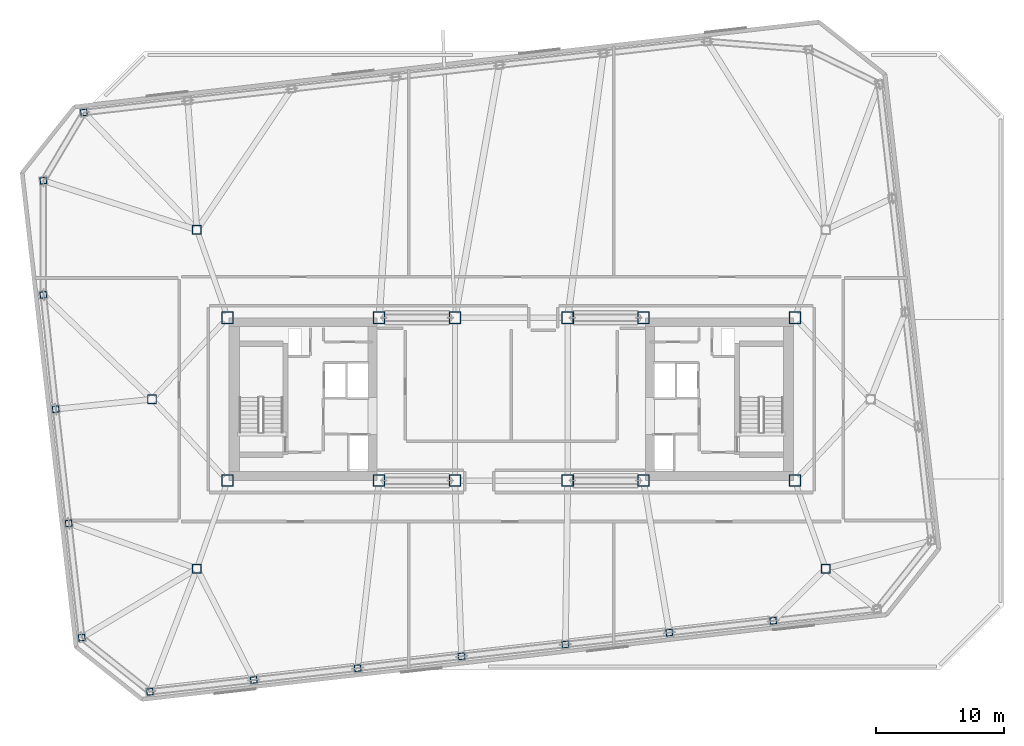
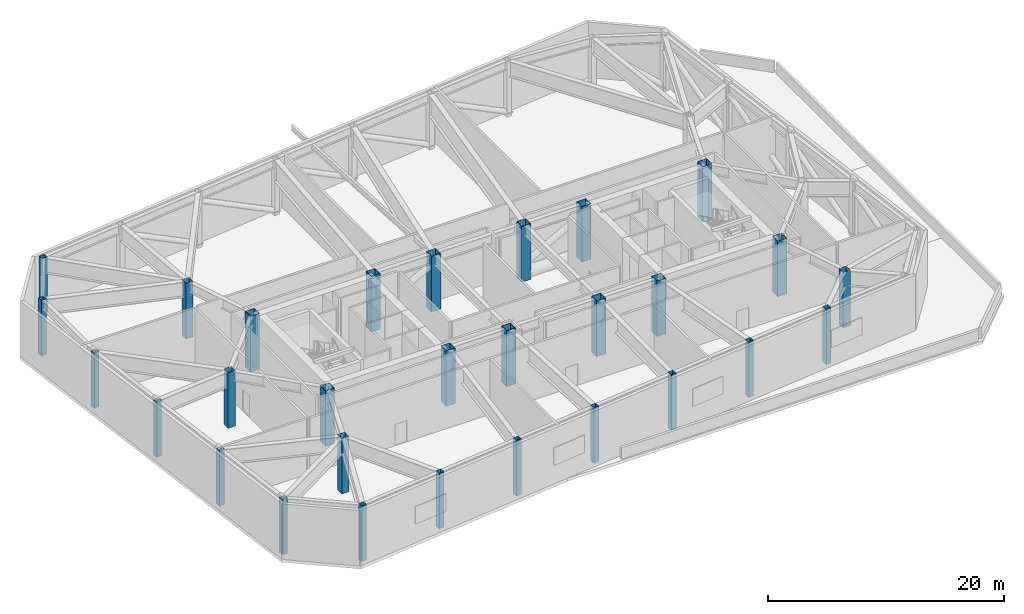
# One storey, part 1 of 13: 29 columns.
"""IFC4 building model written with IfcOpenShell, lengths in metres."""

from ifc_helpers import new_model, si_unit, direction, frame, origin, origin_2d, place, context, subcontext, project, spatial, hollow_rectangle, extrude, material, material_profile, profile_set, type_object, element, save


model = new_model("IFC4")

# Units and contexts
model_context = context("Model", 3, precision=1e-05, world=origin(), true_north=direction((0.0, 1.0)))
body_context = subcontext(model_context, "Body", "Model", "MODEL_VIEW")
ifc_project = project(units=[si_unit("LENGTHUNIT", "METRE"), si_unit("AREAUNIT", "SQUARE_METRE"), si_unit("VOLUMEUNIT", "CUBIC_METRE"), si_unit("PLANEANGLEUNIT", "RADIAN"), si_unit("MASSUNIT", "GRAM", prefix="KILO")], contexts=[model_context])

# Site, building, storey
site_placement = place(None, origin())
site = spatial("IfcSite", under=ifc_project, at=site_placement, CompositionType="ELEMENT")
building_placement = place(site_placement, origin())
building = spatial("IfcBuilding", under=site, at=building_placement, Name="Tavrogorsk Clinical Tower", CompositionType="ELEMENT")
storey_placement = place(building_placement, frame((0.0, 0.0, 208.199951171875)))
storey = spatial("IfcBuildingStorey", under=building, at=storey_placement, Name="L48", CompositionType="ELEMENT", Elevation=208.199951171875)

# Columns
ifc_material_1 = material(Name="Structural steel S440", Category="steel")
ifc_material_profile_1 = material_profile(ifc_material_1, hollow_rectangle(XDim=0.699951171875, YDim=0.699951171875, WallThickness=0.031982421875, at=origin_2d()), Name="BOX-700x700x32")
ifc_profile_set_1 = profile_set([ifc_material_profile_1], Name="Structural steel S440")
column_type_1 = type_object("IfcColumnType", Name="MegaCol_BOX700", PredefinedType="COLUMN", material=ifc_profile_set_1)
for number, where, z_axis, x_axis, name in (
    (1, (-24.5, -13.199951171875, 0.0), (0.0, 0.0, 1.0), (1.0, 0.0, 0.0), "L48 Spine Pilotis Column MC-P1"),
    (2, (24.5, -13.199951171875, 0.0), (0.0, 0.0, 1.0), (1.0, 0.0, 0.0), "L48 Spine Pilotis Column MC-P2"),
    (3, (-24.5, 13.199951171875, 0.0), (0.0, 0.0, 1.0), (1.0, 0.0, 0.0), "L48 Spine Pilotis Column MC-P3"),
    (4, (-28.0, 0.0, 0.0), (0.0, 0.0, 1.0), (1.0, 0.0, 0.0), "L48 Spine Pilotis Column MC-P5"),
):
    element("IfcColumn", number, at=place(storey_placement, frame(where, z_axis=z_axis, x_axis=x_axis)), inside=storey, type_object=column_type_1, Name=name, PredefinedType="COLUMN", context=body_context, shape_type="SweptSolid", body=[
        extrude(hollow_rectangle(XDim=0.699951171875, YDim=0.699951171875, WallThickness=0.031982421875, at=origin_2d()), origin(), (0.0, 0.0, 1.0), 5.739990234375),
    ])
ifc_material_2 = material(Name="Structural steel S440", Category="steel")
ifc_material_profile_2 = material_profile(ifc_material_2, hollow_rectangle(XDim=0.89990234375, YDim=0.89990234375, WallThickness=0.0400390625, at=origin_2d()), Name="BOX-900x900x40")
ifc_profile_set_2 = profile_set([ifc_material_profile_2], Name="Structural steel S440")
column_type_2 = type_object("IfcColumnType", Name="MegaCol_BOX900", PredefinedType="COLUMN", material=ifc_profile_set_2)
for number, where, z_axis, x_axis, name in (
    (5, (-22.10009765625, -6.35009765625, 0.0), (0.0, 0.0, 1.0), (1.0, 0.0, 0.0), "L48 Mega Column MC-W1"),
    (6, (-22.10009765625, 6.35009765625, 0.0), (0.0, 0.0, 1.0), (1.0, 0.0, 0.0), "L48 Mega Column MC-W2"),
    (7, (-10.300048828125, -6.35009765625, 0.0), (0.0, 0.0, 1.0), (1.0, 0.0, 0.0), "L48 Mega Column MC-W3"),
    (8, (-10.300048828125, 6.35009765625, 0.0), (0.0, 0.0, 1.0), (1.0, 0.0, 0.0), "L48 Mega Column MC-W4"),
    (9, (10.300048828125, -6.35009765625, 0.0), (0.0, 0.0, 1.0), (1.0, 0.0, 0.0), "L48 Mega Column MC-E1"),
    (10, (10.300048828125, 6.35009765625, 0.0), (0.0, 0.0, 1.0), (1.0, 0.0, 0.0), "L48 Mega Column MC-E2"),
    (11, (22.10009765625, -6.35009765625, 0.0), (0.0, 0.0, 1.0), (1.0, 0.0, 0.0), "L48 Mega Column MC-E3"),
    (12, (22.10009765625, 6.35009765625, 0.0), (0.0, 0.0, 1.0), (1.0, 0.0, 0.0), "L48 Mega Column MC-E4"),
    (13, (-4.39990234375, -6.35009765625, 0.0), (0.0, 0.0, 1.0), (1.0, 0.0, 0.0), "L48 Mega Column MC-C1"),
    (14, (4.39990234375, -6.35009765625, 0.0), (0.0, 0.0, 1.0), (1.0, 0.0, 0.0), "L48 Mega Column MC-C2"),
    (15, (-4.39990234375, 6.35009765625, 0.0), (0.0, 0.0, 1.0), (1.0, 0.0, 0.0), "L48 Mega Column MC-C3"),
    (16, (4.39990234375, 6.35009765625, 0.0), (0.0, 0.0, 1.0), (1.0, 0.0, 0.0), "L48 Mega Column MC-C4"),
):
    element("IfcColumn", number, at=place(storey_placement, frame(where, z_axis=z_axis, x_axis=x_axis)), inside=storey, type_object=column_type_2, Name=name, PredefinedType="COLUMN", context=body_context, shape_type="SweptSolid", body=[
        extrude(hollow_rectangle(XDim=0.89990234375, YDim=0.89990234375, WallThickness=0.0400390625, at=origin_2d()), origin(), (0.0, 0.0, 1.0), 5.739990234375),
    ])
ifc_material_3 = material(Name="Structural steel S440", Category="steel")
ifc_material_profile_3 = material_profile(ifc_material_3, hollow_rectangle(XDim=0.5, YDim=0.5, WallThickness=0.02490234375, at=origin_2d()), Name="BOX-500x500x25")
ifc_profile_set_3 = profile_set([ifc_material_profile_3], Name="Structural steel S440")
column_type_3 = type_object("IfcColumnType", Name="PerimCol_B4_BOX500", PredefinedType="COLUMN", material=ifc_profile_set_3)
for number, where, z_axis, x_axis, name in (
    (17, (-28.164794921875, -22.802490234375, 0.0), (0.0, 0.0, 1.0), (0.993571855677, 0.113203213768, 0.0), "L48 Perimeter Column S1"),
    (18, (-20.068603515625, -21.880126953125, 0.0), (0.0, 0.0, 1.0), (0.993571855677, 0.113203213768, 0.0), "L48 Perimeter Column S2"),
    (19, (-11.972412109375, -20.95751953125, 0.0), (0.0, 0.0, 1.0), (0.993571855677, 0.113203213768, 0.0), "L48 Perimeter Column S3"),
    (20, (-3.876220703125, -20.03515625, 0.0), (0.0, 0.0, 1.0), (0.993571855677, 0.113203213768, 0.0), "L48 Perimeter Column S4"),
    (21, (4.22021484375, -19.11279296875, 0.0), (0.0, 0.0, 1.0), (0.993571855677, 0.113203213768, 0.0), "L48 Perimeter Column S5"),
    (22, (12.31640625, -18.190185546875, 0.0), (0.0, 0.0, 1.0), (0.993571855677, 0.113203213768, 0.0), "L48 Perimeter Column S6"),
    (23, (20.412353515625, -17.267822265625, 0.0), (0.0, 0.0, 1.0), (0.993571855677, 0.113203213768, 0.0), "L48 Perimeter Column S7"),
    (24, (-33.30859375, 22.345458984375, 0.0), (0.0, 0.0, 1.0), (0.993571855677, 0.113203213768, 0.0), "L48 Perimeter Column N8"),
    (25, (-36.469970703125, 17.032958984375, 0.0), (0.0, 0.0, 1.0), (0.993571855677, 0.113203213768, 0.0), "L48 Perimeter Column W1"),
    (26, (-36.469970703125, 8.130615234375, 0.0), (0.0, 0.0, 1.0), (0.993571855677, 0.113203213768, 0.0), "L48 Perimeter Column W2"),
    (27, (-35.505859375, -0.77197265625, 0.0), (0.0, 0.0, 1.0), (0.993571855677, 0.113203213768, 0.0), "L48 Perimeter Column W3"),
    (28, (-34.491455078125, -9.67431640625, 0.0), (0.0, 0.0, 1.0), (0.993571855677, 0.113203213768, 0.0), "L48 Perimeter Column W4"),
    (29, (-33.477294921875, -18.57666015625, 0.0), (0.0, 0.0, 1.0), (0.993571855677, 0.113203213768, 0.0), "L48 Perimeter Column W5"),
):
    element("IfcColumn", number, at=place(storey_placement, frame(where, z_axis=z_axis, x_axis=x_axis)), inside=storey, type_object=column_type_3, Name=name, PredefinedType="COLUMN", context=body_context, shape_type="SweptSolid", body=[
        extrude(hollow_rectangle(XDim=0.5, YDim=0.5, WallThickness=0.02490234375, at=origin_2d()), origin(), (0.0, 0.0, 1.0), 5.739990234375),
    ])

save(model, "model.ifc")
